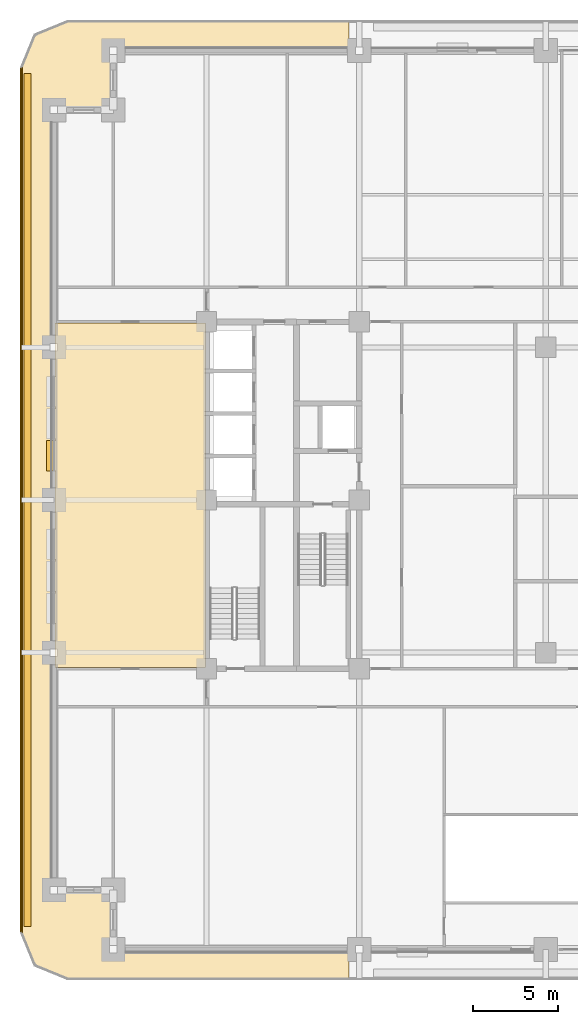
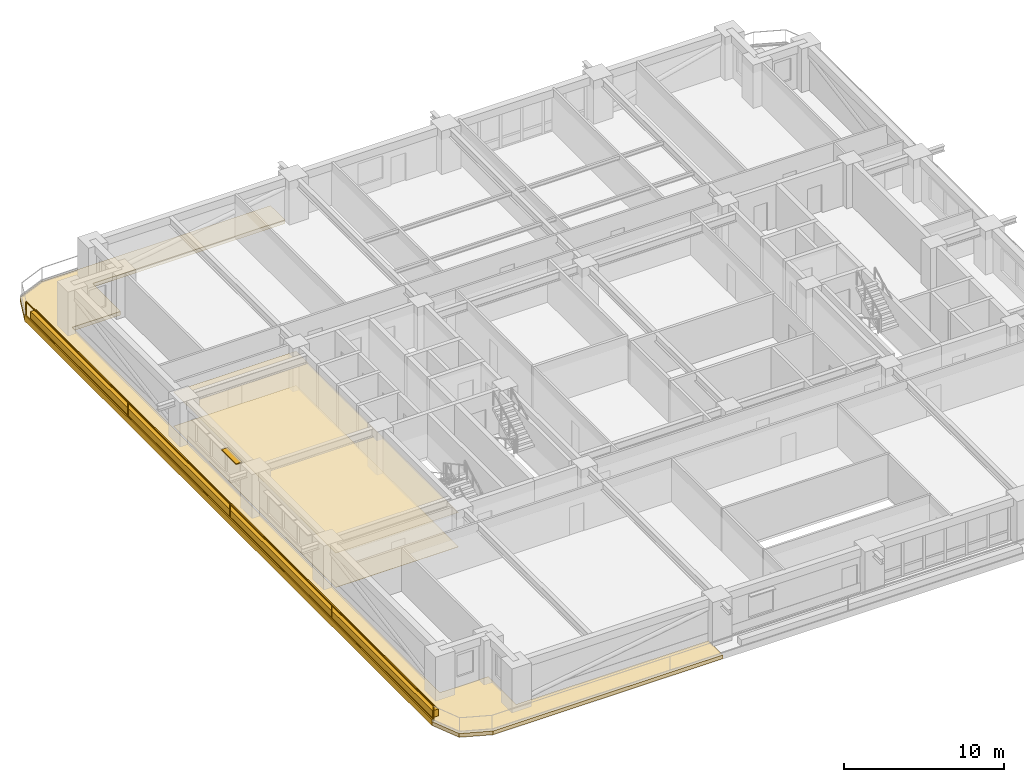
# One storey, part 15 of 20: 5 coverings, 1 railing, 1 shading device.
"""IFC4 building model written with IfcOpenShell, lengths in metres."""

from ifc_helpers import new_model, si_unit, direction, frame, frame_2d, origin, origin_2d, place, context, subcontext, project, spatial, polyline, rectangle, outline, extrude, material, layer, layer_set, type_object, element, save


model = new_model("IFC4")

# Units and contexts
model_context = context("Model", 3, precision=1e-05, world=origin(), true_north=direction((0.0, 1.0)))
body_context = subcontext(model_context, "Body", "Model", "MODEL_VIEW")
ifc_project = project(units=[si_unit("LENGTHUNIT", "METRE"), si_unit("AREAUNIT", "SQUARE_METRE"), si_unit("VOLUMEUNIT", "CUBIC_METRE"), si_unit("PLANEANGLEUNIT", "RADIAN"), si_unit("MASSUNIT", "GRAM", prefix="KILO")], contexts=[model_context])

# Site, building, storey
site_placement = place(None, origin())
site = spatial("IfcSite", under=ifc_project, at=site_placement, CompositionType="ELEMENT")
building_placement = place(site_placement, origin())
building = spatial("IfcBuilding", under=site, at=building_placement, Name="Zulmaris Gate Convention Tower", CompositionType="ELEMENT")
storey_placement = place(building_placement, frame((0.0, 0.0, 75.0400390625)))
storey = spatial("IfcBuildingStorey", under=building, at=storey_placement, Name="L18", CompositionType="ELEMENT", Elevation=75.0400390625)

# Coverings
ifc_material_1 = material(Name="White Glazed Architectural Precast Concrete C40/50", Category="concrete")
ifc_layer_1 = layer(ifc_material_1, 0.239990234375, Name="White Glazed Architectural Precast Concrete C40/50")
ifc_layer_set_1 = layer_set([ifc_layer_1], Name="White Glazed Architectural Precast Concrete C40/50")
covering_type_1 = type_object("IfcCoveringType", Name="CLAD-TRAY-DECK", PredefinedType="CLADDING", material=ifc_layer_set_1)
covering_1_placement = place(storey_placement, frame((0.0, 0.0, -0.324951171875)))
element("IfcCovering", 1, at=covering_1_placement, inside=storey, type_object=covering_type_1, Name="L18 West Rounded-Fascia Planter Tray Deck", PredefinedType="CLADDING", context=body_context, shape_type="SweptSolid", body=[
    extrude(outline(polyline([(-31.0, 25.5), (-30.179931640625, 27.47998046875), (-28.199951171875, 28.300048828125), (-11.60205078125, 28.300048828125), (-11.60205078125, 26.5), (-25.5, 26.5), (-25.5, 23.0), (-29.0, 23.0), (-29.0, -23.0), (-25.5, -23.0), (-25.5, -26.5), (-11.60205078125, -26.5), (-11.60205078125, -28.300048828125), (-28.199951171875, -28.300048828125), (-30.179931640625, -27.47998046875), (-31.0, -25.5), (-31.0, 25.5)])), origin(), (0.0, 0.0, 1.0), 0.284912109375),
])
ifc_layer_2 = layer(ifc_material_1, 0.080078125, Name="White Glazed Architectural Precast Concrete C40/50")
ifc_layer_set_2 = layer_set([ifc_layer_2], Name="White Glazed Architectural Precast Concrete C40/50")
covering_type_2 = type_object("IfcCoveringType", Name="CLAD-TRAY-FASCIA", PredefinedType="CLADDING", material=ifc_layer_set_2)
covering_2_placement = place(storey_placement, frame((-30.9599609375, 25.5, -0.364990234375), z_axis=(0.0, 0.0, 1.0), x_axis=(0.0, -1.0, 0.0)))
element("IfcCovering", 2, at=covering_2_placement, inside=storey, type_object=covering_type_2, Name="FSC-L18-TR-11", PredefinedType="CLADDING", context=body_context, shape_type="SweptSolid", body=[
    extrude(rectangle(XDim=51.0, YDim=0.080078125, at=frame_2d((25.5, 0.0))), origin(), (0.0, 0.0, 1.0), 0.48486328125),
])
ifc_material_2 = material(Name="Mineral Fibre Acoustic Ceiling Tile")
ifc_layer_3 = layer(ifc_material_2, 0.02001953125, Name="Mineral Fibre Acoustic Ceiling Tile")
ifc_layer_set_3 = layer_set([ifc_layer_3], Name="Mineral Fibre Acoustic Ceiling Tile")
covering_type_3 = type_object("IfcCoveringType", Name="CLG-ACOUSTIC-600", PredefinedType="CEILING", material=ifc_layer_set_3)
covering_3_placement = place(storey_placement, frame((0.0, 0.0, 2.6279296875)))
element("IfcCovering", 3, at=covering_3_placement, inside=storey, type_object=covering_type_3, Name="CLG-L18-R48", PredefinedType="CEILING", context=body_context, shape_type="SweptSolid", body=[
    extrude(outline(polyline([(-28.93994140625, -9.889892578125), (-20.06005859375, -9.889892578125), (-20.06005859375, 10.43994140625), (-28.93994140625, 10.43994140625), (-28.93994140625, -9.889892578125)])), origin(), (0.0, 0.0, 1.0), 0.02001953125),
])
ifc_material_3 = material(Name="Woven Acoustic Wool Carpet Tile")
ifc_layer_4 = layer(ifc_material_3, 0.02001953125, Name="Woven Acoustic Wool Carpet Tile")
ifc_layer_set_4 = layer_set([ifc_layer_4], Name="Woven Acoustic Wool Carpet Tile")
covering_type_4 = type_object("IfcCoveringType", Name="FLR-CARPET-12", PredefinedType="FLOORING", material=ifc_layer_set_4)
covering_4_placement = place(storey_placement, origin())
element("IfcCovering", 4, at=covering_4_placement, inside=storey, type_object=covering_type_4, Name="FLR-L18-R48", PredefinedType="FLOORING", context=body_context, shape_type="SweptSolid", body=[
    extrude(outline(polyline([(-28.93994140625, -9.889892578125), (-20.06005859375, -9.889892578125), (-20.06005859375, 10.43994140625), (-28.93994140625, 10.43994140625), (-28.93994140625, -9.889892578125)])), origin(), (0.0, 0.0, 1.0), 0.02001953125),
])
ifc_material_4 = material(Name="Botanical Green Glazed Precast Concrete C40/50", Category="concrete")
ifc_layer_5 = layer(ifc_material_4, 0.419921875, Name="Botanical Green Glazed Precast Concrete C40/50")
ifc_layer_set_5 = layer_set([ifc_layer_5], Name="Botanical Green Glazed Precast Concrete C40/50")
covering_type_5 = type_object("IfcCoveringType", Name="PLANTER-BOX-200", PredefinedType="CLADDING", material=ifc_layer_set_5)
covering_5_placement = place(storey_placement, frame((0.0, 0.0, -0.0400390625)))
element("IfcCovering", 5, at=covering_5_placement, inside=storey, type_object=covering_type_5, Name="L18 W Full-Length Balcony Tree Planter Trough", PredefinedType="CLADDING", context=body_context, shape_type="SweptSolid", body=[
    extrude(outline(polyline([(-30.760009765625, -25.14990234375), (-30.340087890625, -25.14990234375), (-30.340087890625, 25.14990234375), (-30.760009765625, 25.14990234375), (-30.760009765625, -25.14990234375)])), origin(), (0.0, 0.0, 1.0), 0.52001953125),
])

# Railing
ifc_material_5 = material(Name="Laminated Glass and Stainless Steel", Category="steel")
railing_type = type_object("IfcRailingType", Name="RL-BALC-1150", PredefinedType="BALUSTRADE", material=ifc_material_5)
railing_placement = place(storey_placement, frame((-30.8798828125, 25.5, -0.0400390625)))
element("IfcRailing", 6, at=railing_placement, inside=storey, type_object=railing_type, Name="RL-L18-BALC-W", PredefinedType="BALUSTRADE", context=body_context, shape_type="SweptSolid", body=[
    extrude(rectangle(XDim=0.048095703125, YDim=0.048095703125, at=origin_2d()), frame((0.0, 0.0, 1.1259765625), z_axis=(0.0, -1.0, 0.0), x_axis=(1.0, 0.0, 0.0)), (0.0, 0.0, 1.0), 51.0),
    extrude(rectangle(XDim=0.048095703125, YDim=0.048095703125, at=origin_2d()), frame((0.0, 0.0, 0.02392578125), z_axis=(0.0, -1.0, 0.0), x_axis=(1.0, 0.0, 0.0)), (0.0, 0.0, 1.0), 51.0),
    extrude(rectangle(XDim=0.0419921875, YDim=0.0419921875, at=origin_2d()), origin(), (0.0, 0.0, 1.0), 1.101806640625),
    extrude(rectangle(XDim=0.0419921875, YDim=0.0419921875, at=origin_2d()), frame((0.0, -12.75, 0.0)), (0.0, 0.0, 1.0), 1.101806640625),
    extrude(rectangle(XDim=0.0419921875, YDim=0.0419921875, at=origin_2d()), frame((0.0, -25.5, 0.0)), (0.0, 0.0, 1.0), 1.101806640625),
    extrude(rectangle(XDim=0.0419921875, YDim=0.0419921875, at=origin_2d()), frame((0.0, -38.25, 0.0)), (0.0, 0.0, 1.0), 1.101806640625),
    extrude(rectangle(XDim=0.0419921875, YDim=0.0419921875, at=origin_2d()), frame((0.0, -51.0, 0.0)), (0.0, 0.0, 1.0), 1.101806640625),
])

# Shading device
ifc_material_6 = material(Name="Glazed Ceramic Terracotta", Category="masonry")
ifc_layer_6 = layer(ifc_material_6, 0.070068359375, Name="Glazed Ceramic Terracotta")
ifc_layer_set_6 = layer_set([ifc_layer_6], Name="Glazed Ceramic Terracotta")
shading_device_type = type_object("IfcShadingDeviceType", Name="SHD-SUNSHADE-TC", PredefinedType="AWNING", material=ifc_layer_set_6)
shading_device_placement = place(storey_placement, frame((-29.219970703125, 3.514892578125, 2.530029296875), z_axis=(0.0, 0.0, 1.0), x_axis=(0.0, -1.0, 0.0)))
element("IfcShadingDevice", 7, at=shading_device_placement, inside=storey, type_object=shading_device_type, Name="SHD-EW-L18-W-2_0-3", PredefinedType="AWNING", context=body_context, shape_type="SweptSolid", body=[
    extrude(rectangle(XDim=1.7998046875, YDim=0.43994140625, at=frame_2d((0.89990234375, 0.0))), origin(), (0.0, 0.0, 1.0), 0.06982421875),
])

save(model, "model.ifc")
